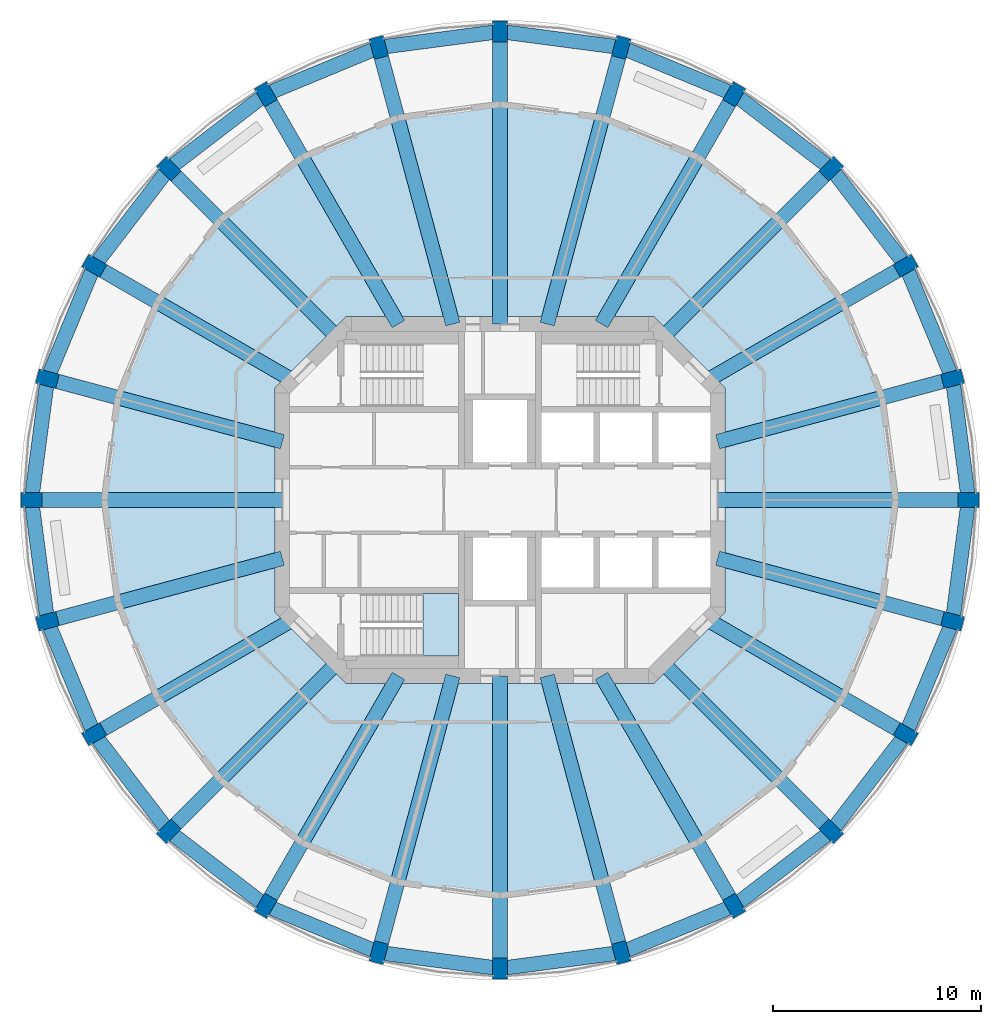
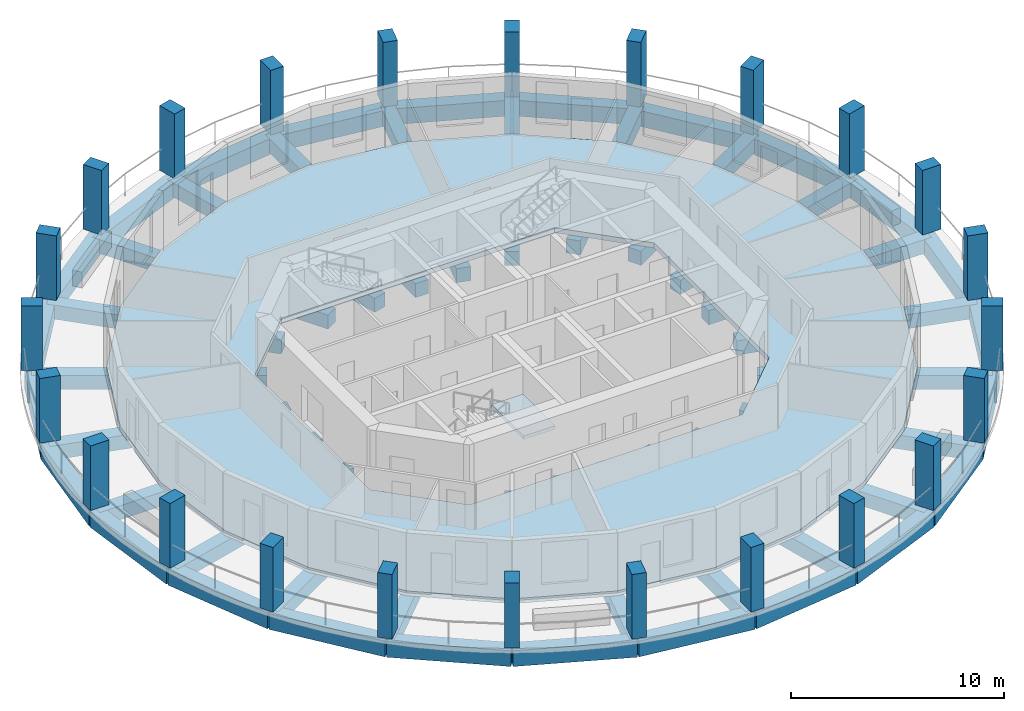
# One storey, part 1 of 9: 48 beams, 24 columns, 2 slabs, 1 element without a shape of its own.
"""IFC4 building model written with IfcOpenShell, lengths in metres."""

from ifc_helpers import new_model, si_unit, direction, frame, origin, origin_2d, place, context, subcontext, project, spatial, polyline, rectangle, outline, extrude, material, layer, layer_set, material_profile, profile_set, type_object, element, aggregate, save


model = new_model("IFC4")

# Units and contexts
model_context = context("Model", 3, precision=1e-05, world=origin(), true_north=direction((0.0, 1.0)))
body_context = subcontext(model_context, "Body", "Model", "MODEL_VIEW")
ifc_project = project(units=[si_unit("LENGTHUNIT", "METRE"), si_unit("AREAUNIT", "SQUARE_METRE"), si_unit("VOLUMEUNIT", "CUBIC_METRE"), si_unit("PLANEANGLEUNIT", "RADIAN"), si_unit("MASSUNIT", "GRAM", prefix="KILO")], contexts=[model_context])

# Site, building, storey
site_placement = place(None, origin())
site = spatial("IfcSite", under=ifc_project, at=site_placement, CompositionType="ELEMENT")
building_placement = place(site_placement, origin())
building = spatial("IfcBuilding", under=site, at=building_placement, Name="Torre Triforio", CompositionType="ELEMENT")
storey_placement = place(building_placement, frame((0.0, 0.0, 154.199951171875)))
storey = spatial("IfcBuildingStorey", under=building, at=storey_placement, Name="L34", CompositionType="ELEMENT", Elevation=154.199951171875)

# Columns
ifc_material_1 = material(Name="Concrete C50", Category="concrete")
ifc_material_profile_1 = material_profile(ifc_material_1, rectangle(XDim=0.699951171875, YDim=1.0, at=origin_2d()), Name="RC 700x1000")
ifc_profile_set_1 = profile_set([ifc_material_profile_1], Name="Concrete C50")
column_type = type_object("IfcColumnType", Name="Pier RC 700x1000 C50", PredefinedType="COLUMN", material=ifc_profile_set_1)
for number, where, z_axis, x_axis, name in (
    (1, (22.5, 0.0, 0.0), (0.0, 0.0, 1.0), (0.0, 1.0, 0.0), "COL.R.L34.00"),
    (2, (21.7333984375, 5.823486328125, 0.0), (0.0, 0.0, 1.0), (-0.258819045103, 0.965925826289, 0.0), "COL.R.L34.01"),
    (3, (19.485595703125, 11.25, 0.0), (0.0, 0.0, 1.0), (-0.5, 0.866025403784, 0.0), "COL.R.L34.02"),
    (4, (15.909912109375, 15.909912109375, 0.0), (0.0, 0.0, 1.0), (-0.707106781187, 0.707106781187, 0.0), "COL.R.L34.03"),
    (5, (11.25, 19.485595703125, 0.0), (0.0, 0.0, 1.0), (-0.866025403784, 0.5, 0.0), "COL.R.L34.04"),
    (6, (5.823486328125, 21.7333984375, 0.0), (0.0, 0.0, 1.0), (-0.965925826289, 0.258819045103, 0.0), "COL.R.L34.05"),
    (7, (0.0, 22.5, 0.0), (0.0, 0.0, 1.0), (-1.0, 0.0, 0.0), "COL.R.L34.06"),
    (8, (-5.823486328125, 21.7333984375, 0.0), (0.0, 0.0, 1.0), (-0.965925826289, -0.258819045103, 0.0), "COL.R.L34.07"),
    (9, (-11.25, 19.485595703125, 0.0), (0.0, 0.0, 1.0), (-0.866025403784, -0.5, 0.0), "COL.R.L34.08"),
    (10, (-15.909912109375, 15.909912109375, 0.0), (0.0, 0.0, 1.0), (-0.707106781187, -0.707106781187, 0.0), "COL.R.L34.09"),
    (11, (-19.485595703125, 11.25, 0.0), (0.0, 0.0, 1.0), (-0.5, -0.866025403784, 0.0), "COL.R.L34.10"),
    (12, (-21.7333984375, 5.823486328125, 0.0), (0.0, 0.0, 1.0), (-0.258819045103, -0.965925826289, 0.0), "COL.R.L34.11"),
    (13, (-22.5, 0.0, 0.0), (0.0, 0.0, 1.0), (0.0, -1.0, 0.0), "COL.R.L34.12"),
    (14, (-21.7333984375, -5.823486328125, 0.0), (0.0, 0.0, 1.0), (0.258819045103, -0.965925826289, 0.0), "COL.R.L34.13"),
    (15, (-19.485595703125, -11.25, 0.0), (0.0, 0.0, 1.0), (0.5, -0.866025403784, 0.0), "COL.R.L34.14"),
    (16, (-15.909912109375, -15.909912109375, 0.0), (0.0, 0.0, 1.0), (0.707106781187, -0.707106781187, 0.0), "COL.R.L34.15"),
    (17, (-11.25, -19.485595703125, 0.0), (0.0, 0.0, 1.0), (0.866025403784, -0.5, 0.0), "COL.R.L34.16"),
    (18, (-5.823486328125, -21.7333984375, 0.0), (0.0, 0.0, 1.0), (0.965925826289, -0.258819045103, 0.0), "COL.R.L34.17"),
    (19, (0.0, -22.5, 0.0), (0.0, 0.0, 1.0), (1.0, 0.0, 0.0), "COL.R.L34.18"),
    (20, (5.823486328125, -21.7333984375, 0.0), (0.0, 0.0, 1.0), (0.965925826289, 0.258819045103, 0.0), "COL.R.L34.19"),
    (21, (11.25, -19.485595703125, 0.0), (0.0, 0.0, 1.0), (0.866025403784, 0.5, 0.0), "COL.R.L34.20"),
    (22, (15.909912109375, -15.909912109375, 0.0), (0.0, 0.0, 1.0), (0.707106781187, 0.707106781187, 0.0), "COL.R.L34.21"),
    (23, (19.485595703125, -11.25, 0.0), (0.0, 0.0, 1.0), (0.5, 0.866025403784, 0.0), "COL.R.L34.22"),
    (24, (21.7333984375, -5.823486328125, 0.0), (0.0, 0.0, 1.0), (0.258819045103, 0.965925826289, 0.0), "COL.R.L34.23"),
):
    element("IfcColumn", number, at=place(storey_placement, frame(where, z_axis=z_axis, x_axis=x_axis)), inside=storey, type_object=column_type, Name=name, PredefinedType="COLUMN", context=body_context, shape_type="SweptSolid", body=[
        extrude(rectangle(XDim=0.699951171875, YDim=1.0, at=origin_2d()), origin(), (0.0, 0.0, 1.0), 3.699951171875),
    ])

# Beams
ifc_material_2 = material(Name="Concrete C40", Category="concrete")
ifc_material_profile_2 = material_profile(ifc_material_2, rectangle(XDim=0.699951171875, YDim=0.800048828125, at=origin_2d()), Name="RC 700x800")
ifc_profile_set_2 = profile_set([ifc_material_profile_2], Name="Concrete C40")
beam_type_1 = type_object("IfcBeamType", Name="Radial beam RC 700x800 C40", PredefinedType="BEAM", material=ifc_profile_set_2)
beam_1_placement = place(storey_placement, frame((10.449951171875, 0.0, -0.679931640625), z_axis=(1.0, 0.0, 0.0), x_axis=(0.0, 1.0, 0.0)))
element("IfcBeam", 25, at=beam_1_placement, inside=storey, type_object=beam_type_1, Name="BM.R.L34.00", PredefinedType="BEAM", context=body_context, shape_type="SweptSolid", body=[
    extrude(rectangle(XDim=0.699951171875, YDim=0.800048828125, at=origin_2d()), origin(), (0.0, 0.0, 1.0), 12.050048828125),
])
beam_2_placement = place(storey_placement, frame((10.449951171875, 2.800048828125, -0.679931640625), z_axis=(0.965924822187, 0.258822792435, 0.0), x_axis=(-0.258822792435, 0.965924822187, 0.0)))
element("IfcBeam", 26, at=beam_2_placement, inside=storey, type_object=beam_type_1, Name="BM.R.L34.01", PredefinedType="BEAM", context=body_context, shape_type="SweptSolid", body=[
    extrude(rectangle(XDim=0.699951171875, YDim=0.800048828125, at=origin_2d()), origin(), (0.0, 0.0, 1.0), 11.681396484375),
])
beam_3_placement = place(storey_placement, frame((9.9501953125, 5.744873046875, -0.679931640625), z_axis=(0.866030871389, 0.499990529712, 0.0), x_axis=(-0.499990529712, 0.866030871389, 0.0)))
element("IfcBeam", 27, at=beam_3_placement, inside=storey, type_object=beam_type_1, Name="BM.R.L34.02", PredefinedType="BEAM", context=body_context, shape_type="SweptSolid", body=[
    extrude(rectangle(XDim=0.699951171875, YDim=0.800048828125, at=origin_2d()), origin(), (0.0, 0.0, 1.0), 11.010498046875),
])
beam_4_placement = place(storey_placement, frame((7.847412109375, 7.847412109375, -0.679931640625), z_axis=(0.707106781187, 0.707106781187, 0.0), x_axis=(-0.707106781187, 0.707106781187, 0.0)))
element("IfcBeam", 28, at=beam_4_placement, inside=storey, type_object=beam_type_1, Name="BM.R.L34.03", PredefinedType="BEAM", context=body_context, shape_type="SweptSolid", body=[
    extrude(rectangle(XDim=0.699951171875, YDim=0.800048828125, at=origin_2d()), origin(), (0.0, 0.0, 1.0), 11.402099609375),
])
beam_5_placement = place(storey_placement, frame((4.878662109375, 8.449951171875, -0.679931640625), z_axis=(0.499994440966, 0.866028613271, 0.0), x_axis=(-0.866028613271, 0.499994440966, 0.0)))
element("IfcBeam", 29, at=beam_5_placement, inside=storey, type_object=beam_type_1, Name="BM.R.L34.04", PredefinedType="BEAM", context=body_context, shape_type="SweptSolid", body=[
    extrude(rectangle(XDim=0.699951171875, YDim=0.800048828125, at=origin_2d()), origin(), (0.0, 0.0, 1.0), 12.742919921875),
])
beam_6_placement = place(storey_placement, frame((2.26416015625, 8.449951171875, -0.679931640625), z_axis=(0.258821569245, 0.965925149944, 0.0), x_axis=(-0.965925149944, 0.258821569245, 0.0)))
element("IfcBeam", 30, at=beam_6_placement, inside=storey, type_object=beam_type_1, Name="BM.R.L34.05", PredefinedType="BEAM", context=body_context, shape_type="SweptSolid", body=[
    extrude(rectangle(XDim=0.699951171875, YDim=0.800048828125, at=origin_2d()), origin(), (0.0, 0.0, 1.0), 13.751953125),
])
beam_7_placement = place(storey_placement, frame((0.0, 8.449951171875, -0.679931640625), z_axis=(0.0, 1.0, 0.0), x_axis=(-1.0, 0.0, 0.0)))
element("IfcBeam", 31, at=beam_7_placement, inside=storey, type_object=beam_type_1, Name="BM.R.L34.06", PredefinedType="BEAM", context=body_context, shape_type="SweptSolid", body=[
    extrude(rectangle(XDim=0.699951171875, YDim=0.800048828125, at=origin_2d()), origin(), (0.0, 0.0, 1.0), 14.050048828125),
])
beam_8_placement = place(storey_placement, frame((-2.26416015625, 8.449951171875, -0.679931640625), z_axis=(-0.258821569245, 0.965925149944, 0.0), x_axis=(-0.965925149944, -0.258821569245, 0.0)))
element("IfcBeam", 32, at=beam_8_placement, inside=storey, type_object=beam_type_1, Name="BM.R.L34.07", PredefinedType="BEAM", context=body_context, shape_type="SweptSolid", body=[
    extrude(rectangle(XDim=0.699951171875, YDim=0.800048828125, at=origin_2d()), origin(), (0.0, 0.0, 1.0), 13.751953125),
])
beam_9_placement = place(storey_placement, frame((-4.878662109375, 8.449951171875, -0.679931640625), z_axis=(-0.499994440966, 0.866028613271, 0.0), x_axis=(-0.866028613271, -0.499994440966, 0.0)))
element("IfcBeam", 33, at=beam_9_placement, inside=storey, type_object=beam_type_1, Name="BM.R.L34.08", PredefinedType="BEAM", context=body_context, shape_type="SweptSolid", body=[
    extrude(rectangle(XDim=0.699951171875, YDim=0.800048828125, at=origin_2d()), origin(), (0.0, 0.0, 1.0), 12.742919921875),
])
beam_10_placement = place(storey_placement, frame((-7.847412109375, 7.847412109375, -0.679931640625), z_axis=(-0.707106781187, 0.707106781187, 0.0), x_axis=(-0.707106781187, -0.707106781187, 0.0)))
element("IfcBeam", 34, at=beam_10_placement, inside=storey, type_object=beam_type_1, Name="BM.R.L34.09", PredefinedType="BEAM", context=body_context, shape_type="SweptSolid", body=[
    extrude(rectangle(XDim=0.699951171875, YDim=0.800048828125, at=origin_2d()), origin(), (0.0, 0.0, 1.0), 11.402099609375),
])
beam_11_placement = place(storey_placement, frame((-9.9501953125, 5.744873046875, -0.679931640625), z_axis=(-0.866030871389, 0.499990529712, 0.0), x_axis=(-0.499990529712, -0.866030871389, 0.0)))
element("IfcBeam", 35, at=beam_11_placement, inside=storey, type_object=beam_type_1, Name="BM.R.L34.10", PredefinedType="BEAM", context=body_context, shape_type="SweptSolid", body=[
    extrude(rectangle(XDim=0.699951171875, YDim=0.800048828125, at=origin_2d()), origin(), (0.0, 0.0, 1.0), 11.010498046875),
])
beam_12_placement = place(storey_placement, frame((-10.449951171875, 2.800048828125, -0.679931640625), z_axis=(-0.965924822187, 0.258822792435, 0.0), x_axis=(-0.258822792435, -0.965924822187, 0.0)))
element("IfcBeam", 36, at=beam_12_placement, inside=storey, type_object=beam_type_1, Name="BM.R.L34.11", PredefinedType="BEAM", context=body_context, shape_type="SweptSolid", body=[
    extrude(rectangle(XDim=0.699951171875, YDim=0.800048828125, at=origin_2d()), origin(), (0.0, 0.0, 1.0), 11.681396484375),
])
beam_13_placement = place(storey_placement, frame((-10.449951171875, 0.0, -0.679931640625), z_axis=(-1.0, 0.0, 0.0), x_axis=(0.0, -1.0, 0.0)))
element("IfcBeam", 37, at=beam_13_placement, inside=storey, type_object=beam_type_1, Name="BM.R.L34.12", PredefinedType="BEAM", context=body_context, shape_type="SweptSolid", body=[
    extrude(rectangle(XDim=0.699951171875, YDim=0.800048828125, at=origin_2d()), origin(), (0.0, 0.0, 1.0), 12.050048828125),
])
beam_14_placement = place(storey_placement, frame((-10.449951171875, -2.800048828125, -0.679931640625), z_axis=(-0.965924822187, -0.258822792435, 0.0), x_axis=(0.258822792435, -0.965924822187, 0.0)))
element("IfcBeam", 38, at=beam_14_placement, inside=storey, type_object=beam_type_1, Name="BM.R.L34.13", PredefinedType="BEAM", context=body_context, shape_type="SweptSolid", body=[
    extrude(rectangle(XDim=0.699951171875, YDim=0.800048828125, at=origin_2d()), origin(), (0.0, 0.0, 1.0), 11.681396484375),
])
beam_15_placement = place(storey_placement, frame((-9.9501953125, -5.744873046875, -0.679931640625), z_axis=(-0.866030871389, -0.499990529712, 0.0), x_axis=(0.499990529712, -0.866030871389, 0.0)))
element("IfcBeam", 39, at=beam_15_placement, inside=storey, type_object=beam_type_1, Name="BM.R.L34.14", PredefinedType="BEAM", context=body_context, shape_type="SweptSolid", body=[
    extrude(rectangle(XDim=0.699951171875, YDim=0.800048828125, at=origin_2d()), origin(), (0.0, 0.0, 1.0), 11.010498046875),
])
beam_16_placement = place(storey_placement, frame((-7.847412109375, -7.847412109375, -0.679931640625), z_axis=(-0.707106781187, -0.707106781187, 0.0), x_axis=(0.707106781187, -0.707106781187, 0.0)))
element("IfcBeam", 40, at=beam_16_placement, inside=storey, type_object=beam_type_1, Name="BM.R.L34.15", PredefinedType="BEAM", context=body_context, shape_type="SweptSolid", body=[
    extrude(rectangle(XDim=0.699951171875, YDim=0.800048828125, at=origin_2d()), origin(), (0.0, 0.0, 1.0), 11.402099609375),
])
beam_17_placement = place(storey_placement, frame((-4.878662109375, -8.449951171875, -0.679931640625), z_axis=(-0.499994440966, -0.866028613271, 0.0), x_axis=(0.866028613271, -0.499994440966, 0.0)))
element("IfcBeam", 41, at=beam_17_placement, inside=storey, type_object=beam_type_1, Name="BM.R.L34.16", PredefinedType="BEAM", context=body_context, shape_type="SweptSolid", body=[
    extrude(rectangle(XDim=0.699951171875, YDim=0.800048828125, at=origin_2d()), origin(), (0.0, 0.0, 1.0), 12.742919921875),
])
beam_18_placement = place(storey_placement, frame((-2.26416015625, -8.449951171875, -0.679931640625), z_axis=(-0.258821569245, -0.965925149944, 0.0), x_axis=(0.965925149944, -0.258821569245, 0.0)))
element("IfcBeam", 42, at=beam_18_placement, inside=storey, type_object=beam_type_1, Name="BM.R.L34.17", PredefinedType="BEAM", context=body_context, shape_type="SweptSolid", body=[
    extrude(rectangle(XDim=0.699951171875, YDim=0.800048828125, at=origin_2d()), origin(), (0.0, 0.0, 1.0), 13.751953125),
])
beam_19_placement = place(storey_placement, frame((0.0, -8.449951171875, -0.679931640625), z_axis=(0.0, -1.0, 0.0), x_axis=(1.0, 0.0, 0.0)))
element("IfcBeam", 43, at=beam_19_placement, inside=storey, type_object=beam_type_1, Name="BM.R.L34.18", PredefinedType="BEAM", context=body_context, shape_type="SweptSolid", body=[
    extrude(rectangle(XDim=0.699951171875, YDim=0.800048828125, at=origin_2d()), origin(), (0.0, 0.0, 1.0), 14.050048828125),
])
beam_20_placement = place(storey_placement, frame((2.26416015625, -8.449951171875, -0.679931640625), z_axis=(0.258821569245, -0.965925149944, 0.0), x_axis=(0.965925149944, 0.258821569245, 0.0)))
element("IfcBeam", 44, at=beam_20_placement, inside=storey, type_object=beam_type_1, Name="BM.R.L34.19", PredefinedType="BEAM", context=body_context, shape_type="SweptSolid", body=[
    extrude(rectangle(XDim=0.699951171875, YDim=0.800048828125, at=origin_2d()), origin(), (0.0, 0.0, 1.0), 13.751953125),
])
beam_21_placement = place(storey_placement, frame((4.878662109375, -8.449951171875, -0.679931640625), z_axis=(0.499994440966, -0.866028613271, 0.0), x_axis=(0.866028613271, 0.499994440966, 0.0)))
element("IfcBeam", 45, at=beam_21_placement, inside=storey, type_object=beam_type_1, Name="BM.R.L34.20", PredefinedType="BEAM", context=body_context, shape_type="SweptSolid", body=[
    extrude(rectangle(XDim=0.699951171875, YDim=0.800048828125, at=origin_2d()), origin(), (0.0, 0.0, 1.0), 12.742919921875),
])
beam_22_placement = place(storey_placement, frame((7.847412109375, -7.847412109375, -0.679931640625), z_axis=(0.707106781187, -0.707106781187, 0.0), x_axis=(0.707106781187, 0.707106781187, 0.0)))
element("IfcBeam", 46, at=beam_22_placement, inside=storey, type_object=beam_type_1, Name="BM.R.L34.21", PredefinedType="BEAM", context=body_context, shape_type="SweptSolid", body=[
    extrude(rectangle(XDim=0.699951171875, YDim=0.800048828125, at=origin_2d()), origin(), (0.0, 0.0, 1.0), 11.402099609375),
])
beam_23_placement = place(storey_placement, frame((9.9501953125, -5.744873046875, -0.679931640625), z_axis=(0.866030871389, -0.499990529712, 0.0), x_axis=(0.499990529712, 0.866030871389, 0.0)))
element("IfcBeam", 47, at=beam_23_placement, inside=storey, type_object=beam_type_1, Name="BM.R.L34.22", PredefinedType="BEAM", context=body_context, shape_type="SweptSolid", body=[
    extrude(rectangle(XDim=0.699951171875, YDim=0.800048828125, at=origin_2d()), origin(), (0.0, 0.0, 1.0), 11.010498046875),
])
beam_24_placement = place(storey_placement, frame((10.449951171875, -2.800048828125, -0.679931640625), z_axis=(0.965924822187, -0.258822792435, 0.0), x_axis=(0.258822792435, 0.965924822187, 0.0)))
element("IfcBeam", 48, at=beam_24_placement, inside=storey, type_object=beam_type_1, Name="BM.R.L34.23", PredefinedType="BEAM", context=body_context, shape_type="SweptSolid", body=[
    extrude(rectangle(XDim=0.699951171875, YDim=0.800048828125, at=origin_2d()), origin(), (0.0, 0.0, 1.0), 11.681396484375),
])
ifc_material_profile_3 = material_profile(ifc_material_2, rectangle(XDim=0.699951171875, YDim=0.89990234375, at=origin_2d()), Name="RC 700x900")
ifc_profile_set_3 = profile_set([ifc_material_profile_3], Name="Concrete C40")
beam_type_2 = type_object("IfcBeamType", Name="Spandrel beam RC 700x900 C40", PredefinedType="SPANDREL", material=ifc_profile_set_3)
beam_25_placement = place(storey_placement, frame((22.5, 0.0, -0.72998046875), z_axis=(-0.13051364818, 0.991446512747, 0.0), x_axis=(-0.991446512747, -0.13051364818, 0.0)))
element("IfcBeam", 49, at=beam_25_placement, inside=storey, type_object=beam_type_2, Name="BM.S.L34.00", PredefinedType="SPANDREL", context=body_context, shape_type="SweptSolid", body=[
    extrude(rectangle(XDim=0.699951171875, YDim=0.89990234375, at=origin_2d()), origin(), (0.0, 0.0, 1.0), 5.873779296875),
])
beam_26_placement = place(storey_placement, frame((21.7333984375, 5.823486328125, -0.72998046875), z_axis=(-0.382693194178, 0.923875488976, 0.0), x_axis=(-0.923875488976, -0.382693194178, 0.0)))
element("IfcBeam", 50, at=beam_26_placement, inside=storey, type_object=beam_type_2, Name="BM.S.L34.01", PredefinedType="SPANDREL", context=body_context, shape_type="SweptSolid", body=[
    extrude(rectangle(XDim=0.699951171875, YDim=0.89990234375, at=origin_2d()), origin(), (0.0, 0.0, 1.0), 5.87353515625),
])
for number, where, z_axis, x_axis, name in (
    (51, (19.485595703125, 11.25, -0.72998046875), (-0.608762208108, 0.793352742466, 0.0), (-0.793352742466, -0.608762208108, 0.0), "BM.S.L34.02"),
    (52, (15.909912109375, 15.909912109375, -0.72998046875), (-0.793352742466, 0.608762208108, 0.0), (-0.608762208108, -0.793352742466, 0.0), "BM.S.L34.03"),
):
    element("IfcBeam", number, at=place(storey_placement, frame(where, z_axis=z_axis, x_axis=x_axis)), inside=storey, type_object=beam_type_2, Name=name, PredefinedType="SPANDREL", context=body_context, shape_type="SweptSolid", body=[
        extrude(rectangle(XDim=0.699951171875, YDim=0.89990234375, at=origin_2d()), origin(), (0.0, 0.0, 1.0), 5.873779296875),
    ])
beam_27_placement = place(storey_placement, frame((11.25, 19.485595703125, -0.72998046875), z_axis=(-0.923875488976, 0.382693194178, 0.0), x_axis=(-0.382693194178, -0.923875488976, 0.0)))
element("IfcBeam", 53, at=beam_27_placement, inside=storey, type_object=beam_type_2, Name="BM.S.L34.04", PredefinedType="SPANDREL", context=body_context, shape_type="SweptSolid", body=[
    extrude(rectangle(XDim=0.699951171875, YDim=0.89990234375, at=origin_2d()), origin(), (0.0, 0.0, 1.0), 5.87353515625),
])
for number, where, z_axis, x_axis, name in (
    (54, (5.823486328125, 21.7333984375, -0.72998046875), (-0.991446512747, 0.13051364818, 0.0), (-0.13051364818, -0.991446512747, 0.0), "BM.S.L34.05"),
    (55, (0.0, 22.5, -0.72998046875), (-0.991446512747, -0.13051364818, 0.0), (0.13051364818, -0.991446512747, 0.0), "BM.S.L34.06"),
):
    element("IfcBeam", number, at=place(storey_placement, frame(where, z_axis=z_axis, x_axis=x_axis)), inside=storey, type_object=beam_type_2, Name=name, PredefinedType="SPANDREL", context=body_context, shape_type="SweptSolid", body=[
        extrude(rectangle(XDim=0.699951171875, YDim=0.89990234375, at=origin_2d()), origin(), (0.0, 0.0, 1.0), 5.873779296875),
    ])
beam_28_placement = place(storey_placement, frame((-5.823486328125, 21.7333984375, -0.72998046875), z_axis=(-0.923875488976, -0.382693194178, 0.0), x_axis=(0.382693194178, -0.923875488976, 0.0)))
element("IfcBeam", 56, at=beam_28_placement, inside=storey, type_object=beam_type_2, Name="BM.S.L34.07", PredefinedType="SPANDREL", context=body_context, shape_type="SweptSolid", body=[
    extrude(rectangle(XDim=0.699951171875, YDim=0.89990234375, at=origin_2d()), origin(), (0.0, 0.0, 1.0), 5.87353515625),
])
for number, where, z_axis, x_axis, name in (
    (57, (-11.25, 19.485595703125, -0.72998046875), (-0.793352742466, -0.608762208108, 0.0), (0.608762208108, -0.793352742466, 0.0), "BM.S.L34.08"),
    (58, (-15.909912109375, 15.909912109375, -0.72998046875), (-0.608762208108, -0.793352742466, 0.0), (0.793352742466, -0.608762208108, 0.0), "BM.S.L34.09"),
):
    element("IfcBeam", number, at=place(storey_placement, frame(where, z_axis=z_axis, x_axis=x_axis)), inside=storey, type_object=beam_type_2, Name=name, PredefinedType="SPANDREL", context=body_context, shape_type="SweptSolid", body=[
        extrude(rectangle(XDim=0.699951171875, YDim=0.89990234375, at=origin_2d()), origin(), (0.0, 0.0, 1.0), 5.873779296875),
    ])
beam_29_placement = place(storey_placement, frame((-19.485595703125, 11.25, -0.72998046875), z_axis=(-0.382693194178, -0.923875488976, 0.0), x_axis=(0.923875488976, -0.382693194178, 0.0)))
element("IfcBeam", 59, at=beam_29_placement, inside=storey, type_object=beam_type_2, Name="BM.S.L34.10", PredefinedType="SPANDREL", context=body_context, shape_type="SweptSolid", body=[
    extrude(rectangle(XDim=0.699951171875, YDim=0.89990234375, at=origin_2d()), origin(), (0.0, 0.0, 1.0), 5.87353515625),
])
for number, where, z_axis, x_axis, name in (
    (60, (-21.7333984375, 5.823486328125, -0.72998046875), (-0.13051364818, -0.991446512747, 0.0), (0.991446512747, -0.13051364818, 0.0), "BM.S.L34.11"),
    (61, (-22.5, 0.0, -0.72998046875), (0.13051364818, -0.991446512747, 0.0), (0.991446512747, 0.13051364818, 0.0), "BM.S.L34.12"),
):
    element("IfcBeam", number, at=place(storey_placement, frame(where, z_axis=z_axis, x_axis=x_axis)), inside=storey, type_object=beam_type_2, Name=name, PredefinedType="SPANDREL", context=body_context, shape_type="SweptSolid", body=[
        extrude(rectangle(XDim=0.699951171875, YDim=0.89990234375, at=origin_2d()), origin(), (0.0, 0.0, 1.0), 5.873779296875),
    ])
beam_30_placement = place(storey_placement, frame((-21.7333984375, -5.823486328125, -0.72998046875), z_axis=(0.382693194178, -0.923875488976, 0.0), x_axis=(0.923875488976, 0.382693194178, 0.0)))
element("IfcBeam", 62, at=beam_30_placement, inside=storey, type_object=beam_type_2, Name="BM.S.L34.13", PredefinedType="SPANDREL", context=body_context, shape_type="SweptSolid", body=[
    extrude(rectangle(XDim=0.699951171875, YDim=0.89990234375, at=origin_2d()), origin(), (0.0, 0.0, 1.0), 5.87353515625),
])
for number, where, z_axis, x_axis, name in (
    (63, (-19.485595703125, -11.25, -0.72998046875), (0.608762208108, -0.793352742466, 0.0), (0.793352742466, 0.608762208108, 0.0), "BM.S.L34.14"),
    (64, (-15.909912109375, -15.909912109375, -0.72998046875), (0.793352742466, -0.608762208108, 0.0), (0.608762208108, 0.793352742466, 0.0), "BM.S.L34.15"),
):
    element("IfcBeam", number, at=place(storey_placement, frame(where, z_axis=z_axis, x_axis=x_axis)), inside=storey, type_object=beam_type_2, Name=name, PredefinedType="SPANDREL", context=body_context, shape_type="SweptSolid", body=[
        extrude(rectangle(XDim=0.699951171875, YDim=0.89990234375, at=origin_2d()), origin(), (0.0, 0.0, 1.0), 5.873779296875),
    ])
beam_31_placement = place(storey_placement, frame((-11.25, -19.485595703125, -0.72998046875), z_axis=(0.923875488976, -0.382693194178, 0.0), x_axis=(0.382693194178, 0.923875488976, 0.0)))
element("IfcBeam", 65, at=beam_31_placement, inside=storey, type_object=beam_type_2, Name="BM.S.L34.16", PredefinedType="SPANDREL", context=body_context, shape_type="SweptSolid", body=[
    extrude(rectangle(XDim=0.699951171875, YDim=0.89990234375, at=origin_2d()), origin(), (0.0, 0.0, 1.0), 5.87353515625),
])
for number, where, z_axis, x_axis, name in (
    (66, (-5.823486328125, -21.7333984375, -0.72998046875), (0.991446512747, -0.13051364818, 0.0), (0.13051364818, 0.991446512747, 0.0), "BM.S.L34.17"),
    (67, (0.0, -22.5, -0.72998046875), (0.991446512747, 0.13051364818, 0.0), (-0.13051364818, 0.991446512747, 0.0), "BM.S.L34.18"),
):
    element("IfcBeam", number, at=place(storey_placement, frame(where, z_axis=z_axis, x_axis=x_axis)), inside=storey, type_object=beam_type_2, Name=name, PredefinedType="SPANDREL", context=body_context, shape_type="SweptSolid", body=[
        extrude(rectangle(XDim=0.699951171875, YDim=0.89990234375, at=origin_2d()), origin(), (0.0, 0.0, 1.0), 5.873779296875),
    ])
beam_32_placement = place(storey_placement, frame((5.823486328125, -21.7333984375, -0.72998046875), z_axis=(0.923875488976, 0.382693194178, 0.0), x_axis=(-0.382693194178, 0.923875488976, 0.0)))
element("IfcBeam", 68, at=beam_32_placement, inside=storey, type_object=beam_type_2, Name="BM.S.L34.19", PredefinedType="SPANDREL", context=body_context, shape_type="SweptSolid", body=[
    extrude(rectangle(XDim=0.699951171875, YDim=0.89990234375, at=origin_2d()), origin(), (0.0, 0.0, 1.0), 5.87353515625),
])
for number, where, z_axis, x_axis, name in (
    (69, (11.25, -19.485595703125, -0.72998046875), (0.793352742466, 0.608762208108, 0.0), (-0.608762208108, 0.793352742466, 0.0), "BM.S.L34.20"),
    (70, (15.909912109375, -15.909912109375, -0.72998046875), (0.608762208108, 0.793352742466, 0.0), (-0.793352742466, 0.608762208108, 0.0), "BM.S.L34.21"),
):
    element("IfcBeam", number, at=place(storey_placement, frame(where, z_axis=z_axis, x_axis=x_axis)), inside=storey, type_object=beam_type_2, Name=name, PredefinedType="SPANDREL", context=body_context, shape_type="SweptSolid", body=[
        extrude(rectangle(XDim=0.699951171875, YDim=0.89990234375, at=origin_2d()), origin(), (0.0, 0.0, 1.0), 5.873779296875),
    ])
beam_33_placement = place(storey_placement, frame((19.485595703125, -11.25, -0.72998046875), z_axis=(0.382693194178, 0.923875488976, 0.0), x_axis=(-0.923875488976, 0.382693194178, 0.0)))
element("IfcBeam", 71, at=beam_33_placement, inside=storey, type_object=beam_type_2, Name="BM.S.L34.22", PredefinedType="SPANDREL", context=body_context, shape_type="SweptSolid", body=[
    extrude(rectangle(XDim=0.699951171875, YDim=0.89990234375, at=origin_2d()), origin(), (0.0, 0.0, 1.0), 5.87353515625),
])
beam_34_placement = place(storey_placement, frame((21.7333984375, -5.823486328125, -0.72998046875), z_axis=(0.13051364818, 0.991446512747, 0.0), x_axis=(-0.991446512747, 0.13051364818, 0.0)))
element("IfcBeam", 72, at=beam_34_placement, inside=storey, type_object=beam_type_2, Name="BM.S.L34.23", PredefinedType="SPANDREL", context=body_context, shape_type="SweptSolid", body=[
    extrude(rectangle(XDim=0.699951171875, YDim=0.89990234375, at=origin_2d()), origin(), (0.0, 0.0, 1.0), 5.873779296875),
])

# Slab
ifc_layer_1 = layer(ifc_material_2, 0.280029296875)
ifc_layer_set_1 = layer_set([ifc_layer_1], Name="Concrete C40")
slab_type_1 = type_object("IfcSlabType", Name="Floor slab 280 C40", PredefinedType="FLOOR", material=ifc_layer_set_1)
slab_1_placement = place(storey_placement, frame((0.0, 0.0, -0.280029296875)))
element("IfcSlab", 73, at=slab_1_placement, inside=storey, type_object=slab_type_1, Name="SL.L34", PredefinedType="FLOOR", context=body_context, shape_type="SweptSolid", body=[
    extrude(outline(polyline([(16.45458984375, -9.5), (18.3525390625, -4.91748046875), (19.0, 0.0), (18.3525390625, 4.91748046875), (16.45458984375, 9.5), (13.43505859375, 13.43505859375), (9.5, 16.45458984375), (4.91748046875, 18.3525390625), (0.0, 19.0), (-4.91748046875, 18.3525390625), (-9.5, 16.45458984375), (-13.43505859375, 13.43505859375), (-16.45458984375, 9.5), (-18.3525390625, 4.91748046875), (-19.0, 0.0), (-18.3525390625, -4.91748046875), (-16.45458984375, -9.5), (-13.43505859375, -13.43505859375), (-9.5, -16.45458984375), (-4.91748046875, -18.3525390625), (0.0, -19.0), (4.91748046875, -18.3525390625), (9.5, -16.45458984375), (13.43505859375, -13.43505859375), (16.45458984375, -9.5)]), holes=[polyline([(10.800048828125, 5.389892578125), (10.800048828125, -5.389892578125), (7.389892578125, -8.800048828125), (-7.389892578125, -8.800048828125), (-10.800048828125, -5.389892578125), (-10.800048828125, 5.389892578125), (-7.389892578125, 8.800048828125), (7.389892578125, 8.800048828125), (10.800048828125, 5.389892578125)])]), origin(), (0.0, 0.0, 1.0), 0.280029296875),
])

# Stair, slab
stair_type = type_object("IfcStairType", Name="STAIR HALF-TURN", PredefinedType="HALF_TURN_STAIR", material=ifc_material_2)
stair_placement = place(storey_placement, origin())
stair = element("IfcStair", 74, at=stair_placement, inside=storey, type_object=stair_type, Name="Exit stair 3", PredefinedType="HALF_TURN_STAIR")
ifc_layer_2 = layer(ifc_material_2, 0.199951171875)
ifc_layer_set_2 = layer_set([ifc_layer_2], Name="Concrete C40")
slab_type_2 = type_object("IfcSlabType", Name="STAIR LANDING 200", PredefinedType="LANDING", material=ifc_layer_set_2)
slab_2_placement = place(storey_placement, frame((0.0, 0.0, 1.650146484375)))
slab_2 = element("IfcSlab", 75, at=slab_2_placement, type_object=slab_type_2, Name="ST3 landing 1", PredefinedType="LANDING", context=body_context, shape_type="SweptSolid", body=[
    extrude(outline(polyline([(-2.0, -7.5), (-2.0, -4.5), (-3.699951171875, -4.5), (-3.699951171875, -7.5), (-2.0, -7.5)])), origin(), (0.0, 0.0, 1.0), 0.199951171875),
])
aggregate(stair, [slab_2])

save(model, "model.ifc")
